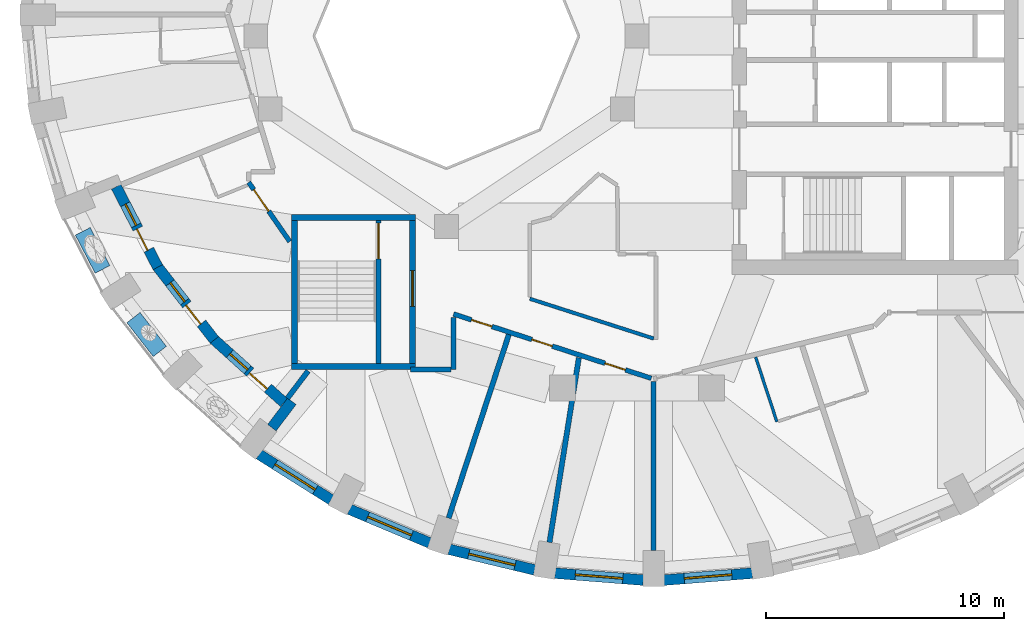
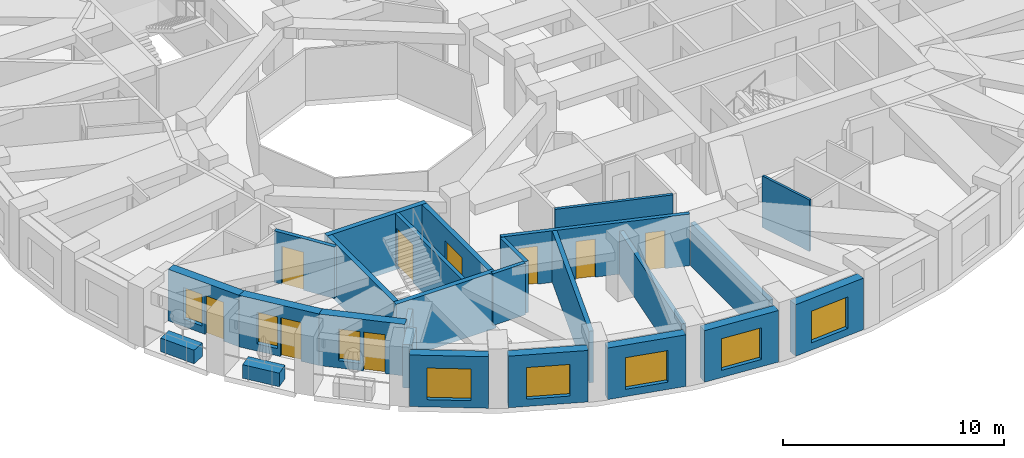
# One storey, part 3 of 12: 26 walls, 9 doors, 8 windows, 17 openings.
"""IFC4 building model written with IfcOpenShell, lengths in metres."""

import ifcopenshell
import ifcopenshell.guid

model = None  # the IFC model being written
_history = None  # IfcOwnerHistory: only IFC2X3 demands one
_inside = {}  # id of a spatial element -> (the spatial element, [elements in it])
_under = {}  # id of a project, library or spatial element -> (it, [spatial elements below it])
_declared = {}  # id of a project -> (the project, [libraries it declares])
_typed = {}  # id of a type object -> (the type object, [elements of that type])
_made_of = {}  # id of a material, layer set ... -> (it, [elements and type objects made of it])


def new_model(schema):
    """Start an empty IFC model of exactly this schema.

    Asked for "IFC4X3", IfcOpenShell would pick the latest addendum, in which some entities
    have other attributes; the version numbers below select the first issue.
    IFC2X3 requires an IfcOwnerHistory on every rooted entity: one is made here for all.
    """
    global model, _history
    if schema == "IFC4X3":
        model = ifcopenshell.file(schema_version=(4, 3, 0, 0))
    else:
        model = ifcopenshell.file(schema=schema)
    _inside.clear()
    _under.clear()
    _declared.clear()
    _typed.clear()
    _made_of.clear()
    _history = None
    if model.schema == "IFC2X3":
        org = make("IfcOrganization", Name="unknown")
        user = make(
            "IfcPersonAndOrganization",
            ThePerson=make("IfcPerson", FamilyName="unknown"),
            TheOrganization=org,
        )
        app = make(
            "IfcApplication",
            ApplicationDeveloper=org,
            Version="unknown",
            ApplicationFullName="unknown",
            ApplicationIdentifier="unknown",
        )
        _history = make(
            "IfcOwnerHistory",
            OwningUser=user,
            OwningApplication=app,
            ChangeAction="ADDED",
            CreationDate=0,
        )
    return model


def make(cls, **values):
    """One entity of the class cls with the attributes given. An attribute that is None is left unset."""
    return model.create_entity(
        cls, **{name: value for name, value in values.items() if value is not None}
    )


def rooted(cls, **values):
    """An entity with a GlobalId (a new one), such as an element, a storey or a relation."""
    return make(cls, GlobalId=ifcopenshell.guid.new(), OwnerHistory=_history, **values)


def si_unit(unit_type, name, prefix=None):
    """IfcSIUnit, for example si_unit("LENGTHUNIT", "METRE", prefix="MILLI")."""
    return make("IfcSIUnit", UnitType=unit_type, Prefix=prefix, Name=name)


def assignment(units):
    """IfcUnitAssignment: the units of a project."""
    return None if units is None else make("IfcUnitAssignment", Units=units)


def point(xyz):
    """IfcCartesianPoint."""
    return None if xyz is None else make("IfcCartesianPoint", Coordinates=xyz)


def direction(xyz):
    """IfcDirection."""
    return None if xyz is None else make("IfcDirection", DirectionRatios=xyz)


def frame(location, z_axis=None, x_axis=None):
    """IfcAxis2Placement3D, a coordinate frame: its origin and axes. An axis left out is left unset."""
    return make(
        "IfcAxis2Placement3D",
        Location=point(location),
        Axis=direction(z_axis),
        RefDirection=direction(x_axis),
    )


def frame_2d(location, x_axis=None):
    """IfcAxis2Placement2D, a coordinate frame in the plane: its origin and x axis."""
    return make(
        "IfcAxis2Placement2D", Location=point(location), RefDirection=direction(x_axis)
    )


def origin():
    """The frame at (0, 0, 0) with its axes left unset."""
    return frame((0.0, 0.0, 0.0))


def place(relative_to, where):
    """IfcLocalPlacement: puts the frame where relative to a parent placement (None: the world)."""
    return make(
        "IfcLocalPlacement", PlacementRelTo=relative_to, RelativePlacement=where
    )


def context(
    kind, dimensions, precision=None, world=None, true_north=None, identifier=None
):
    """IfcGeometricRepresentationContext, for example the 3D "Model" context."""
    return make(
        "IfcGeometricRepresentationContext",
        ContextIdentifier=identifier,
        ContextType=kind,
        CoordinateSpaceDimension=dimensions,
        Precision=precision,
        WorldCoordinateSystem=world,
        TrueNorth=true_north,
    )


def subcontext(parent, identifier, kind, view, scale=None):
    """IfcGeometricRepresentationSubContext, for example "Body" below "Model"."""
    return make(
        "IfcGeometricRepresentationSubContext",
        ContextIdentifier=identifier,
        ContextType=kind,
        ParentContext=parent,
        TargetScale=scale,
        TargetView=view,
    )


def project(units=None, contexts=None):
    """IfcProject with its units and contexts."""
    return rooted(
        "IfcProject",
        Name="project",
        RepresentationContexts=contexts,
        UnitsInContext=assignment(units),
    )


def spatial(cls, under=None, at=None, **own):
    """A site, building, storey or space (cls), placed at a placement, below another one or the project."""
    s = rooted(cls, ObjectPlacement=at, **own)
    if under is not None:
        _under.setdefault(under.id(), (under, []))[1].append(s)
    return s


def profile(cls, at=None, kind="AREA", **sizes):
    """A parametric profile (cls). Its sizes go by their IFC names, for example OverallWidth=200.0."""
    return make(cls, ProfileType=kind, Position=at, **sizes)


def rectangle(**sizes):
    """IfcRectangleProfileDef."""
    return profile("IfcRectangleProfileDef", **sizes)


def extrude(swept, where, along, depth):
    """IfcExtrudedAreaSolid: the profile swept, set in the frame where, extruded along a direction by depth."""
    return make(
        "IfcExtrudedAreaSolid",
        SweptArea=swept,
        Position=where,
        ExtrudedDirection=direction(along),
        Depth=depth,
    )


def shape(context_of_items, identifier, shape_type, items):
    """IfcShapeRepresentation: the items that make up one representation, for example the "Body"."""
    return make(
        "IfcShapeRepresentation",
        ContextOfItems=context_of_items,
        RepresentationIdentifier=identifier,
        RepresentationType=shape_type,
        Items=items,
    )


def material(Name=None, Category=None):
    """IfcMaterial."""
    return make("IfcMaterial", Name=Name, Category=Category)


def layer(
    of_material, thickness, ventilated=None, Name=None, Category=None, Priority=None
):
    """IfcMaterialLayer: one layer of a wall or slab, of a material (None: an air gap)."""
    return make(
        "IfcMaterialLayer",
        Material=of_material,
        LayerThickness=thickness,
        IsVentilated=ventilated,
        Name=Name,
        Category=Category,
        Priority=Priority,
    )


def layer_set(layers, Name=None):
    """IfcMaterialLayerSet."""
    return make("IfcMaterialLayerSet", MaterialLayers=layers, LayerSetName=Name)


def constituent(of_material, Name=None, Category=None, fraction=None):
    """IfcMaterialConstituent: one of the materials an element consists of."""
    return make(
        "IfcMaterialConstituent",
        Name=Name,
        Material=of_material,
        Fraction=fraction,
        Category=Category,
    )


def constituent_set(constituents=None, Name=None):
    """IfcMaterialConstituentSet."""
    return make(
        "IfcMaterialConstituentSet", Name=Name, MaterialConstituents=constituents
    )


def made_of(thing, what):
    """Note that an element or type object is made of a material, layer set ...; save() writes the relation."""
    if what is not None:
        _made_of.setdefault(what.id(), (what, []))[1].append(thing)
    return thing


def type_object(cls, material=None, **own):
    """A type object (cls), such as IfcWallType, which elements share."""
    return made_of(rooted(cls, **own), material)


def element(
    cls,
    number,
    at=None,
    inside=None,
    cuts=None,
    type_object=None,
    material=None,
    context=None,
    identifier="Body",
    shape_type=None,
    held_by="IfcProductDefinitionShape",
    body=None,
    shapes=None,
    **own,
):
    """One element of the class cls, such as IfcWall. Its Tag is "e" and its number.

    at: its placement. inside: the storey or other place that contains it. cuts: it is an
    opening in that element (IfcRelVoidsElement). A single representation is given by context,
    identifier, shape_type and body (its items); several are given by shapes. held_by: the class
    of the entity that holds the representations. save() writes the other relations.
    """
    e = rooted(cls, Tag="e%d" % number, ObjectPlacement=at, **own)
    if body is not None:
        shapes = [shape(context, identifier, shape_type, body)]
    if shapes is not None:
        e.Representation = make(held_by, Representations=shapes)
    if inside is not None:
        _inside.setdefault(inside.id(), (inside, []))[1].append(e)
    if cuts is not None:
        rooted(
            "IfcRelVoidsElement", RelatingBuildingElement=cuts, RelatedOpeningElement=e
        )
    if type_object is not None:
        _typed.setdefault(type_object.id(), (type_object, []))[1].append(e)
    return made_of(e, material)


def fill(opening, filler):
    """IfcRelFillsElement: the door or window that sits in an opening."""
    return rooted(
        "IfcRelFillsElement",
        RelatingOpeningElement=opening,
        RelatedBuildingElement=filler,
    )


def aggregate(whole, parts):
    """IfcRelAggregates: a whole, such as a stair, and the parts it consists of."""
    return rooted("IfcRelAggregates", RelatingObject=whole, RelatedObjects=parts)


def save(model, path):
    """Write the relations noted so far, then the file.

    IfcRelAggregates (storeys below a building ...), IfcRelContainedInSpatialStructure (elements
    in a storey), IfcRelDefinesByType, IfcRelAssociatesMaterial and IfcRelDeclares: one each for
    every whole, place, type object, material and project.
    """
    for whole, parts in _under.values():
        aggregate(whole, parts)
    for where, things in _inside.values():
        rooted(
            "IfcRelContainedInSpatialStructure",
            RelatedElements=things,
            RelatingStructure=where,
        )
    for kind, things in _typed.values():
        rooted("IfcRelDefinesByType", RelatedObjects=things, RelatingType=kind)
    for what, things in _made_of.values():
        rooted("IfcRelAssociatesMaterial", RelatedObjects=things, RelatingMaterial=what)
    for by, libraries in _declared.values():
        rooted("IfcRelDeclares", RelatingContext=by, RelatedDefinitions=libraries)
    model.write(path)


model = new_model("IFC4")

# Units and contexts
model_context = context("Model", 3, precision=1e-05, world=origin(), true_north=direction((0.0, 1.0)))
body_context = subcontext(model_context, "Body", "Model", "MODEL_VIEW")
ifc_project = project(units=[si_unit("LENGTHUNIT", "METRE"), si_unit("AREAUNIT", "SQUARE_METRE"), si_unit("VOLUMEUNIT", "CUBIC_METRE"), si_unit("PLANEANGLEUNIT", "RADIAN"), si_unit("MASSUNIT", "GRAM", prefix="KILO")], contexts=[model_context])

# Site, building, storey
site_placement = place(None, origin())
site = spatial("IfcSite", under=ifc_project, at=site_placement, CompositionType="ELEMENT")
building_placement = place(site_placement, origin())
building = spatial("IfcBuilding", under=site, at=building_placement, Name="Taillehof Tower", CompositionType="ELEMENT")
storey_placement = place(building_placement, frame((0.0, 0.0, 225.5)))
storey = spatial("IfcBuildingStorey", under=building, at=storey_placement, Name="L64", CompositionType="ELEMENT", Elevation=225.5)

# Wall, opening, window
ifc_material_1 = material(Name="Brick masonry", Category="masonry")
ifc_layer_1 = layer(ifc_material_1, 0.449951171875)
ifc_layer_set_1 = layer_set([ifc_layer_1], Name="Brick infill wall 450")
wall_type_1 = type_object("IfcWallType", Name="Brick infill wall 450", PredefinedType="SOLIDWALL", material=ifc_layer_set_1)
wall_1_placement = place(storey_placement, frame((-15.8671875, -17.55859375, 0.0), z_axis=(0.0, 0.0, 1.0), x_axis=(0.84616917791, -0.532914366813, 0.0)))
wall_1 = element("IfcWall", 1, at=wall_1_placement, inside=storey, type_object=wall_type_1, Name="Brick wall L64 bay 24", PredefinedType="SOLIDWALL", context=body_context, shape_type="SweptSolid", body=[
    extrude(rectangle(XDim=3.586669921875, YDim=0.449951171875, at=frame_2d((1.79345703125, 0.0))), origin(), (0.0, 0.0, 1.0), 2.85009765625),
])
opening_1_placement = place(wall_1_placement, frame((0.79345703125, 0.0, 0.39990234375)))
opening_1 = element("IfcOpeningElement", 2, at=opening_1_placement, cuts=wall_1, Name="Opening W2", PredefinedType="OPENING", context=body_context, shape_type="SweptSolid", body=[
    extrude(rectangle(XDim=2.0, YDim=1.75, at=frame_2d((1.0, 0.875))), frame((0.0, 0.23486328125, 0.0), z_axis=(0.0, -1.0, 0.0), x_axis=(1.0, 0.0, 0.0)), (0.0, 0.0, 1.0), 0.469970703125),
])
ifc_material_2 = material(Name="Aluminium window frame with clear double glazing", Category="aluminium")
window_type_1 = type_object("IfcWindowType", Name="Deep-set window 2000x1750", PartitioningType="SINGLE_PANEL", PredefinedType="WINDOW", material=ifc_material_2)
window_1_placement = place(opening_1_placement, origin())
window_1 = element("IfcWindow", 3, at=window_1_placement, inside=storey, type_object=window_type_1, Name="W2", OverallHeight=1.75, OverallWidth=2.0, PartitioningType="SINGLE_PANEL", PredefinedType="WINDOW", context=body_context, shape_type="SweptSolid", body=[
    extrude(rectangle(XDim=2.0, YDim=1.75, at=frame_2d((1.0, 0.875))), frame((0.0, 0.034912109375, 0.0), z_axis=(0.0, -1.0, 0.0), x_axis=(1.0, 0.0, 0.0)), (0.0, 0.0, 1.0), 0.06005859375),
])
fill(opening_1, window_1)

wall_2_placement = place(storey_placement, frame((-12.0693359375, -19.866943359375, 0.0), z_axis=(0.0, 0.0, 1.0), x_axis=(0.922168222612, -0.386789050006, 0.0)))
wall_2 = element("IfcWall", 4, at=wall_2_placement, inside=storey, type_object=wall_type_1, Name="Brick wall L64 bay 25", PredefinedType="SOLIDWALL", context=body_context, shape_type="SweptSolid", body=[
    extrude(rectangle(XDim=3.65087890625, YDim=0.449951171875, at=frame_2d((1.825439453125, 0.0))), origin(), (0.0, 0.0, 1.0), 2.85009765625),
])
opening_2_placement = place(wall_2_placement, frame((0.825439453125, 0.0, 0.39990234375)))
opening_2 = element("IfcOpeningElement", 5, at=opening_2_placement, cuts=wall_2, Name="Opening W2", PredefinedType="OPENING", context=body_context, shape_type="SweptSolid", body=[
    extrude(rectangle(XDim=2.0, YDim=1.75, at=frame_2d((1.0, 0.875))), frame((0.0, 0.23486328125, 0.0), z_axis=(0.0, -1.0, 0.0), x_axis=(1.0, 0.0, 0.0)), (0.0, 0.0, 1.0), 0.469970703125),
])
window_2_placement = place(opening_2_placement, origin())
window_2 = element("IfcWindow", 6, at=window_2_placement, inside=storey, type_object=window_type_1, Name="W2", OverallHeight=1.75, OverallWidth=2.0, PartitioningType="SINGLE_PANEL", PredefinedType="WINDOW", context=body_context, shape_type="SweptSolid", body=[
    extrude(rectangle(XDim=2.0, YDim=1.75, at=frame_2d((1.0, 0.875))), frame((0.0, 0.034912109375, 0.0), z_axis=(0.0, -1.0, 0.0), x_axis=(1.0, 0.0, 0.0)), (0.0, 0.0, 1.0), 0.06005859375),
])
fill(opening_2, window_2)

wall_3_placement = place(storey_placement, frame((-7.88525390625, -21.547119140625, 0.0), z_axis=(0.0, 0.0, 1.0), x_axis=(0.9721584944, -0.234324266275, 0.0)))
wall_3 = element("IfcWall", 7, at=wall_3_placement, inside=storey, type_object=wall_type_1, Name="Brick wall L64 bay 26", PredefinedType="SOLIDWALL", context=body_context, shape_type="SweptSolid", body=[
    extrude(rectangle(XDim=3.69775390625, YDim=0.449951171875, at=frame_2d((1.848876953125, 0.0))), origin(), (0.0, 0.0, 1.0), 2.85009765625),
])
opening_3_placement = place(wall_3_placement, frame((0.848876953125, 0.0, 0.39990234375)))
opening_3 = element("IfcOpeningElement", 8, at=opening_3_placement, cuts=wall_3, Name="Opening W2", PredefinedType="OPENING", context=body_context, shape_type="SweptSolid", body=[
    extrude(rectangle(XDim=2.0, YDim=1.75, at=frame_2d((1.0, 0.875))), frame((0.0, 0.23486328125, 0.0), z_axis=(0.0, -1.0, 0.0), x_axis=(1.0, 0.0, 0.0)), (0.0, 0.0, 1.0), 0.469970703125),
])
window_3_placement = place(opening_3_placement, origin())
window_3 = element("IfcWindow", 9, at=window_3_placement, inside=storey, type_object=window_type_1, Name="W2", OverallHeight=1.75, OverallWidth=2.0, PartitioningType="SINGLE_PANEL", PredefinedType="WINDOW", context=body_context, shape_type="SweptSolid", body=[
    extrude(rectangle(XDim=2.0, YDim=1.75, at=frame_2d((1.0, 0.875))), frame((0.0, 0.034912109375, 0.0), z_axis=(0.0, -1.0, 0.0), x_axis=(1.0, 0.0, 0.0)), (0.0, 0.0, 1.0), 0.06005859375),
])
fill(opening_3, window_3)

wall_4_placement = place(storey_placement, frame((-3.441162109375, -22.54833984375, 0.0), z_axis=(0.0, 0.0, 1.0), x_axis=(0.996913971077, -0.078501810629, 0.0)))
wall_4 = element("IfcWall", 10, at=wall_4_placement, inside=storey, type_object=wall_type_1, Name="Brick wall L64 bay 27", PredefinedType="SOLIDWALL", context=body_context, shape_type="SweptSolid", body=[
    extrude(rectangle(XDim=3.72265625, YDim=0.449951171875, at=frame_2d((1.861328125, 0.0))), origin(), (0.0, 0.0, 1.0), 2.85009765625),
])
opening_4_placement = place(wall_4_placement, frame((0.861328125, 0.0, 0.39990234375)))
opening_4 = element("IfcOpeningElement", 11, at=opening_4_placement, cuts=wall_4, Name="Opening W2", PredefinedType="OPENING", context=body_context, shape_type="SweptSolid", body=[
    extrude(rectangle(XDim=2.0, YDim=1.75, at=frame_2d((1.0, 0.875))), frame((0.0, 0.23486328125, 0.0), z_axis=(0.0, -1.0, 0.0), x_axis=(1.0, 0.0, 0.0)), (0.0, 0.0, 1.0), 0.469970703125),
])
window_4_placement = place(opening_4_placement, origin())
window_4 = element("IfcWindow", 12, at=window_4_placement, inside=storey, type_object=window_type_1, Name="W2", OverallHeight=1.75, OverallWidth=2.0, PartitioningType="SINGLE_PANEL", PredefinedType="WINDOW", context=body_context, shape_type="SweptSolid", body=[
    extrude(rectangle(XDim=2.0, YDim=1.75, at=frame_2d((1.0, 0.875))), frame((0.0, 0.034912109375, 0.0), z_axis=(0.0, -1.0, 0.0), x_axis=(1.0, 0.0, 0.0)), (0.0, 0.0, 1.0), 0.06005859375),
])
fill(opening_4, window_4)

wall_5_placement = place(storey_placement, frame((1.130126953125, -22.840576171875, 0.0), z_axis=(0.0, 0.0, 1.0), x_axis=(0.996913566885, 0.078506943392, 0.0)))
wall_5 = element("IfcWall", 13, at=wall_5_placement, inside=storey, type_object=wall_type_1, Name="Brick wall L64 bay 28", PredefinedType="SOLIDWALL", context=body_context, shape_type="SweptSolid", body=[
    extrude(rectangle(XDim=3.722412109375, YDim=0.449951171875, at=frame_2d((1.861328125, 0.0))), origin(), (0.0, 0.0, 1.0), 2.85009765625),
])
opening_5_placement = place(wall_5_placement, frame((0.861328125, 0.0, 0.39990234375)))
opening_5 = element("IfcOpeningElement", 14, at=opening_5_placement, cuts=wall_5, Name="Opening W2", PredefinedType="OPENING", context=body_context, shape_type="SweptSolid", body=[
    extrude(rectangle(XDim=2.0, YDim=1.75, at=frame_2d((1.0, 0.875))), frame((0.0, 0.23486328125, 0.0), z_axis=(0.0, -1.0, 0.0), x_axis=(1.0, 0.0, 0.0)), (0.0, 0.0, 1.0), 0.469970703125),
])
window_5_placement = place(opening_5_placement, origin())
window_5 = element("IfcWindow", 15, at=window_5_placement, inside=storey, type_object=window_type_1, Name="W2", OverallHeight=1.75, OverallWidth=2.0, PartitioningType="SINGLE_PANEL", PredefinedType="WINDOW", context=body_context, shape_type="SweptSolid", body=[
    extrude(rectangle(XDim=2.0, YDim=1.75, at=frame_2d((1.0, 0.875))), frame((0.0, 0.034912109375, 0.0), z_axis=(0.0, -1.0, 0.0), x_axis=(1.0, 0.0, 0.0)), (0.0, 0.0, 1.0), 0.06005859375),
])
fill(opening_5, window_5)

# Wall
wall_6_placement = place(storey_placement, frame((-15.325927734375, -16.441650390625, 0.0), z_axis=(0.0, 0.0, 1.0), x_axis=(0.603644757989, 0.797253414011, 0.0)))
element("IfcWall", 16, at=wall_6_placement, inside=storey, type_object=wall_type_1, Name="Brick reveal L64 pocket 6", PredefinedType="SOLIDWALL", context=body_context, shape_type="SweptSolid", body=[
    extrude(rectangle(XDim=1.390869140625, YDim=0.449951171875, at=frame_2d((0.6953125, 0.0))), origin(), (0.0, 0.0, 1.0), 2.39990234375),
])

# Wall, openings, door, window
wall_7_placement = place(storey_placement, frame((-21.860595703125, -6.326171875, 0.0), z_axis=(0.0, 0.0, 1.0), x_axis=(0.45924645187, -0.888308896975, 0.0)))
wall_7 = element("IfcWall", 17, at=wall_7_placement, inside=storey, type_object=wall_type_1, Name="Brick wall L64 pocket bay 21", PredefinedType="SOLIDWALL", context=body_context, shape_type="SweptSolid", body=[
    extrude(rectangle(XDim=3.801513671875, YDim=0.449951171875, at=frame_2d((1.90087890625, 0.0))), origin(), (0.0, 0.0, 1.0), 2.85009765625),
])
opening_6_placement = place(wall_7_placement, frame((0.82568359375, 0.0, 0.39990234375)))
opening_6 = element("IfcOpeningElement", 18, at=opening_6_placement, cuts=wall_7, Name="Opening W5", PredefinedType="OPENING", context=body_context, shape_type="SweptSolid", body=[
    extrude(rectangle(XDim=1.0, YDim=1.75, at=frame_2d((0.5, 0.875))), frame((0.0, 0.23486328125, 0.0), z_axis=(0.0, -1.0, 0.0), x_axis=(1.0, 0.0, 0.0)), (0.0, 0.0, 1.0), 0.469970703125),
])
opening_7_placement = place(wall_7_placement, frame((1.975830078125, 0.0, 0.0)))
opening_7 = element("IfcOpeningElement", 19, at=opening_7_placement, cuts=wall_7, Name="Opening D6494", PredefinedType="OPENING", context=body_context, shape_type="SweptSolid", body=[
    extrude(rectangle(XDim=1.0, YDim=2.14990234375, at=frame_2d((0.5, 1.074951171875))), frame((0.0, 0.23486328125, 0.0), z_axis=(0.0, -1.0, 0.0), x_axis=(1.0, 0.0, 0.0)), (0.0, 0.0, 1.0), 0.469970703125),
])
ifc_material_3 = material(Name="Aluminium door frame with clear double glazing", Category="aluminium")
door_type_1 = type_object("IfcDoorType", Name="Balcony door 1000x2150", OperationType="SINGLE_SWING_RIGHT", PredefinedType="DOOR", material=ifc_material_3)
door_1_placement = place(opening_7_placement, frame((1.0, 0.0, 0.0), z_axis=(0.0, 0.0, 1.0), x_axis=(-1.0, 0.0, 0.0)))
door_1 = element("IfcDoor", 20, at=door_1_placement, inside=storey, type_object=door_type_1, Name="Balcony door L64 bay 21", OperationType="SINGLE_SWING_RIGHT", OverallHeight=2.14990234375, OverallWidth=1.0, PredefinedType="DOOR", context=body_context, shape_type="SweptSolid", body=[
    extrude(rectangle(XDim=1.0, YDim=2.14990234375, at=frame_2d((0.5, 1.074951171875))), frame((0.0, 0.0751953125, 0.0), z_axis=(0.0, -1.0, 0.0), x_axis=(1.0, 0.0, 0.0)), (0.0, 0.0, 1.0), 0.050048828125),
])
fill(opening_7, door_1)
ifc_material_4 = material(Name="Aluminium window frame with clear double glazing", Category="aluminium")
window_type_2 = type_object("IfcWindowType", Name="Fixed window 1000x1750", PartitioningType="SINGLE_PANEL", PredefinedType="WINDOW", material=ifc_material_4)
window_6_placement = place(opening_6_placement, origin())
window_6 = element("IfcWindow", 21, at=window_6_placement, inside=storey, type_object=window_type_2, Name="W5", OverallHeight=1.75, OverallWidth=1.0, PartitioningType="SINGLE_PANEL", PredefinedType="WINDOW", context=body_context, shape_type="SweptSolid", body=[
    extrude(rectangle(XDim=1.0, YDim=1.75, at=frame_2d((0.5, 0.875))), frame((0.0, 0.034912109375, 0.0), z_axis=(0.0, -1.0, 0.0), x_axis=(1.0, 0.0, 0.0)), (0.0, 0.0, 1.0), 0.06005859375),
])
fill(opening_6, window_6)

wall_8_placement = place(storey_placement, frame((-20.136962890625, -9.66845703125, 0.0), z_axis=(0.0, 0.0, 1.0), x_axis=(0.613157177014, -0.789960933386, 0.0)))
wall_8 = element("IfcWall", 22, at=wall_8_placement, inside=storey, type_object=wall_type_1, Name="Brick wall L64 pocket bay 22", PredefinedType="SOLIDWALL", context=body_context, shape_type="SweptSolid", body=[
    extrude(rectangle(XDim=3.906494140625, YDim=0.449951171875, at=frame_2d((1.953125, 0.0))), origin(), (0.0, 0.0, 1.0), 2.85009765625),
])
opening_8_placement = place(wall_8_placement, frame((0.87841796875, 0.0, 0.39990234375)))
opening_8 = element("IfcOpeningElement", 23, at=opening_8_placement, cuts=wall_8, Name="Opening W5", PredefinedType="OPENING", context=body_context, shape_type="SweptSolid", body=[
    extrude(rectangle(XDim=1.0, YDim=1.75, at=frame_2d((0.5, 0.875))), frame((0.0, 0.23486328125, 0.0), z_axis=(0.0, -1.0, 0.0), x_axis=(1.0, 0.0, 0.0)), (0.0, 0.0, 1.0), 0.469970703125),
])
opening_9_placement = place(wall_8_placement, frame((2.0283203125, 0.0, 0.0)))
opening_9 = element("IfcOpeningElement", 24, at=opening_9_placement, cuts=wall_8, Name="Opening D6495", PredefinedType="OPENING", context=body_context, shape_type="SweptSolid", body=[
    extrude(rectangle(XDim=1.0, YDim=2.14990234375, at=frame_2d((0.5, 1.074951171875))), frame((0.0, 0.23486328125, 0.0), z_axis=(0.0, -1.0, 0.0), x_axis=(1.0, 0.0, 0.0)), (0.0, 0.0, 1.0), 0.469970703125),
])
door_2_placement = place(opening_9_placement, frame((1.0, 0.0, 0.0), z_axis=(0.0, 0.0, 1.0), x_axis=(-1.0, 0.0, 0.0)))
door_2 = element("IfcDoor", 25, at=door_2_placement, inside=storey, type_object=door_type_1, Name="Balcony door L64 bay 22", OperationType="SINGLE_SWING_LEFT", OverallHeight=2.14990234375, OverallWidth=1.0, PredefinedType="DOOR", context=body_context, shape_type="SweptSolid", body=[
    extrude(rectangle(XDim=1.0, YDim=2.14990234375, at=frame_2d((0.5, 1.074951171875))), frame((0.0, 0.0751953125, 0.0), z_axis=(0.0, -1.0, 0.0), x_axis=(1.0, 0.0, 0.0)), (0.0, 0.0, 1.0), 0.050048828125),
])
fill(opening_9, door_2)
window_7_placement = place(opening_8_placement, origin())
window_7 = element("IfcWindow", 26, at=window_7_placement, inside=storey, type_object=window_type_2, Name="W5", OverallHeight=1.75, OverallWidth=1.0, PartitioningType="SINGLE_PANEL", PredefinedType="WINDOW", context=body_context, shape_type="SweptSolid", body=[
    extrude(rectangle(XDim=1.0, YDim=1.75, at=frame_2d((0.5, 0.875))), frame((0.0, 0.034912109375, 0.0), z_axis=(0.0, -1.0, 0.0), x_axis=(1.0, 0.0, 0.0)), (0.0, 0.0, 1.0), 0.06005859375),
])
fill(opening_8, window_7)

wall_9_placement = place(storey_placement, frame((-17.7685546875, -12.725341796875, 0.0), z_axis=(0.0, 0.0, 1.0), x_axis=(0.742485377568, -0.669862272484, 0.0)))
wall_9 = element("IfcWall", 27, at=wall_9_placement, inside=storey, type_object=wall_type_1, Name="Brick wall L64 pocket bay 23", PredefinedType="SOLIDWALL", context=body_context, shape_type="SweptSolid", body=[
    extrude(rectangle(XDim=3.980224609375, YDim=0.449951171875, at=frame_2d((1.990234375, 0.0))), origin(), (0.0, 0.0, 1.0), 2.85009765625),
])
opening_10_placement = place(wall_9_placement, frame((0.9150390625, 0.0, 0.39990234375)))
opening_10 = element("IfcOpeningElement", 28, at=opening_10_placement, cuts=wall_9, Name="Opening W5", PredefinedType="OPENING", context=body_context, shape_type="SweptSolid", body=[
    extrude(rectangle(XDim=1.0, YDim=1.75, at=frame_2d((0.5, 0.875))), frame((0.0, 0.23486328125, 0.0), z_axis=(0.0, -1.0, 0.0), x_axis=(1.0, 0.0, 0.0)), (0.0, 0.0, 1.0), 0.469970703125),
])
opening_11_placement = place(wall_9_placement, frame((2.065185546875, 0.0, 0.0)))
opening_11 = element("IfcOpeningElement", 29, at=opening_11_placement, cuts=wall_9, Name="Opening D6496", PredefinedType="OPENING", context=body_context, shape_type="SweptSolid", body=[
    extrude(rectangle(XDim=1.0, YDim=2.14990234375, at=frame_2d((0.5, 1.074951171875))), frame((0.0, 0.23486328125, 0.0), z_axis=(0.0, -1.0, 0.0), x_axis=(1.0, 0.0, 0.0)), (0.0, 0.0, 1.0), 0.469970703125),
])
door_3_placement = place(opening_11_placement, frame((1.0, 0.0, 0.0), z_axis=(0.0, 0.0, 1.0), x_axis=(-1.0, 0.0, 0.0)))
door_3 = element("IfcDoor", 30, at=door_3_placement, inside=storey, type_object=door_type_1, Name="Balcony door L64 bay 23", OperationType="SINGLE_SWING_LEFT", OverallHeight=2.14990234375, OverallWidth=1.0, PredefinedType="DOOR", context=body_context, shape_type="SweptSolid", body=[
    extrude(rectangle(XDim=1.0, YDim=2.14990234375, at=frame_2d((0.5, 1.074951171875))), frame((0.0, 0.0751953125, 0.0), z_axis=(0.0, -1.0, 0.0), x_axis=(1.0, 0.0, 0.0)), (0.0, 0.0, 1.0), 0.050048828125),
])
fill(opening_11, door_3)
window_8_placement = place(opening_10_placement, origin())
window_8 = element("IfcWindow", 31, at=window_8_placement, inside=storey, type_object=window_type_2, Name="W5", OverallHeight=1.75, OverallWidth=1.0, PartitioningType="SINGLE_PANEL", PredefinedType="WINDOW", context=body_context, shape_type="SweptSolid", body=[
    extrude(rectangle(XDim=1.0, YDim=1.75, at=frame_2d((0.5, 0.875))), frame((0.0, 0.034912109375, 0.0), z_axis=(0.0, -1.0, 0.0), x_axis=(1.0, 0.0, 0.0)), (0.0, 0.0, 1.0), 0.06005859375),
])
fill(opening_10, window_8)

# Wall, openings, doors
ifc_material_5 = material(Name="Gypsum board on steel studs, two layers each side", Category="steel")
ifc_layer_2 = layer(ifc_material_5, 0.199951171875)
ifc_layer_set_2 = layer_set([ifc_layer_2], Name="Compartment wall corridor 200")
wall_type_2 = type_object("IfcWallType", Name="Compartment wall corridor 200", PredefinedType="PARTITIONING", material=ifc_layer_set_2)
wall_10_placement = place(storey_placement, frame((0.604736328125, -14.369384765625, 0.0), z_axis=(0.0, 0.0, 1.0), x_axis=(-0.950994614205, 0.309207444529, 0.0)))
wall_10 = element("IfcWall", 32, at=wall_10_placement, inside=storey, type_object=wall_type_2, Name="Compartment wall", PredefinedType="PARTITIONING", context=body_context, shape_type="SweptSolid", body=[
    extrude(rectangle(XDim=8.732666015625, YDim=0.199951171875, at=frame_2d((4.3662109375, 0.0))), origin(), (0.0, 0.0, 1.0), 2.85009765625),
])
opening_12_placement = place(wall_10_placement, frame((7.039794921875, 0.0, 0.0)))
opening_12 = element("IfcOpeningElement", 33, at=opening_12_placement, cuts=wall_10, Name="Opening D6458", PredefinedType="OPENING", context=body_context, shape_type="SweptSolid", body=[
    extrude(rectangle(XDim=0.89990234375, YDim=2.10009765625, at=frame_2d((0.449951171875, 1.050048828125))), frame((0.0, 0.10986328125, 0.0), z_axis=(0.0, -1.0, 0.0), x_axis=(1.0, 0.0, 0.0)), (0.0, 0.0, 1.0), 0.219970703125),
])
opening_13_placement = place(wall_10_placement, frame((4.374755859375, 0.0, 0.0)))
opening_13 = element("IfcOpeningElement", 34, at=opening_13_placement, cuts=wall_10, Name="Opening D6459", PredefinedType="OPENING", context=body_context, shape_type="SweptSolid", body=[
    extrude(rectangle(XDim=0.89990234375, YDim=2.10009765625, at=frame_2d((0.449951171875, 1.050048828125))), frame((0.0, 0.10986328125, 0.0), z_axis=(0.0, -1.0, 0.0), x_axis=(1.0, 0.0, 0.0)), (0.0, 0.0, 1.0), 0.219970703125),
])
opening_14_placement = place(wall_10_placement, frame((1.144775390625, 0.0, 0.0)))
opening_14 = element("IfcOpeningElement", 35, at=opening_14_placement, cuts=wall_10, Name="Opening D6460", PredefinedType="OPENING", context=body_context, shape_type="SweptSolid", body=[
    extrude(rectangle(XDim=0.89990234375, YDim=2.10009765625, at=frame_2d((0.449951171875, 1.050048828125))), frame((0.0, 0.10986328125, 0.0), z_axis=(0.0, -1.0, 0.0), x_axis=(1.0, 0.0, 0.0)), (0.0, 0.0, 1.0), 0.219970703125),
])
ifc_material_6 = material(Name="Timber door leaf in steel frame", Category="steel")
door_type_2 = type_object("IfcDoorType", Name="Service room door EI 30 900 x 2100", OperationType="SINGLE_SWING_LEFT", PredefinedType="DOOR", material=ifc_material_6)
door_4_placement = place(opening_12_placement, origin())
door_4 = element("IfcDoor", 36, at=door_4_placement, inside=storey, type_object=door_type_2, Name="D6458", OperationType="SINGLE_SWING_LEFT", OverallHeight=2.10009765625, OverallWidth=0.89990234375, PredefinedType="DOOR", context=body_context, shape_type="SweptSolid", body=[
    extrude(rectangle(XDim=0.89990234375, YDim=2.10009765625, at=frame_2d((0.449951171875, 1.050048828125))), frame((0.0, 0.02490234375, 0.0), z_axis=(0.0, -1.0, 0.0), x_axis=(1.0, 0.0, 0.0)), (0.0, 0.0, 1.0), 0.050048828125),
])
fill(opening_12, door_4)
door_5_placement = place(opening_13_placement, origin())
door_5 = element("IfcDoor", 37, at=door_5_placement, inside=storey, type_object=door_type_2, Name="D6459", OperationType="SINGLE_SWING_RIGHT", OverallHeight=2.10009765625, OverallWidth=0.89990234375, PredefinedType="DOOR", context=body_context, shape_type="SweptSolid", body=[
    extrude(rectangle(XDim=0.89990234375, YDim=2.10009765625, at=frame_2d((0.449951171875, 1.050048828125))), frame((0.0, 0.02490234375, 0.0), z_axis=(0.0, -1.0, 0.0), x_axis=(1.0, 0.0, 0.0)), (0.0, 0.0, 1.0), 0.050048828125),
])
fill(opening_13, door_5)
door_6_placement = place(opening_14_placement, origin())
door_6 = element("IfcDoor", 38, at=door_6_placement, inside=storey, type_object=door_type_2, Name="D6460", OperationType="SINGLE_SWING_RIGHT", OverallHeight=2.10009765625, OverallWidth=0.89990234375, PredefinedType="DOOR", context=body_context, shape_type="SweptSolid", body=[
    extrude(rectangle(XDim=0.89990234375, YDim=2.10009765625, at=frame_2d((0.449951171875, 1.050048828125))), frame((0.0, 0.02490234375, 0.0), z_axis=(0.0, -1.0, 0.0), x_axis=(1.0, 0.0, 0.0)), (0.0, 0.0, 1.0), 0.050048828125),
])
fill(opening_14, door_6)

# Walls
wall_11_placement = place(storey_placement, frame((-7.699951171875, -11.809326171875, 0.0), z_axis=(0.0, 0.0, 1.0), x_axis=(0.0, -1.0, 0.0)))
element("IfcWall", 39, at=wall_11_placement, inside=storey, type_object=wall_type_2, Name="Compartment wall", PredefinedType="PARTITIONING", context=body_context, shape_type="SweptSolid", body=[
    extrude(rectangle(XDim=2.190673828125, YDim=0.199951171875, at=frame_2d((1.09521484375, 0.0))), origin(), (0.0, 0.0, 1.0), 2.85009765625),
])
wall_12_placement = place(storey_placement, frame((-7.800048828125, -14.0, 0.0), z_axis=(0.0, 0.0, 1.0), x_axis=(-1.0, 0.0, 0.0)))
element("IfcWall", 40, at=wall_12_placement, inside=storey, type_object=wall_type_2, Name="Compartment wall", PredefinedType="PARTITIONING", context=body_context, shape_type="SweptSolid", body=[
    extrude(rectangle(XDim=1.696044921875, YDim=0.199951171875, at=frame_2d((0.84814453125, 0.0))), origin(), (0.0, 0.0, 1.0), 2.85009765625),
])

# Wall, opening, door
wall_13_placement = place(storey_placement, frame((-14.575439453125, -8.626708984375, 0.0), z_axis=(0.0, 0.0, 1.0), x_axis=(-0.569910381143, 0.821706856163, 0.0)))
wall_13 = element("IfcWall", 41, at=wall_13_placement, inside=storey, type_object=wall_type_2, Name="Compartment wall", PredefinedType="PARTITIONING", context=body_context, shape_type="SweptSolid", body=[
    extrude(rectangle(XDim=3.026123046875, YDim=0.199951171875, at=frame_2d((1.51318359375, 0.0))), origin(), (0.0, 0.0, 1.0), 2.85009765625),
])
opening_15_placement = place(wall_13_placement, frame((1.551513671875, 0.0, 0.0)))
opening_15 = element("IfcOpeningElement", 42, at=opening_15_placement, cuts=wall_13, Name="Opening D6456", PredefinedType="OPENING", context=body_context, shape_type="SweptSolid", body=[
    extrude(rectangle(XDim=1.10009765625, YDim=2.10009765625, at=frame_2d((0.550048828125, 1.050048828125))), frame((0.0, 0.10986328125, 0.0), z_axis=(0.0, -1.0, 0.0), x_axis=(1.0, 0.0, 0.0)), (0.0, 0.0, 1.0), 0.219970703125),
])
ifc_material_7 = material(Name="Timber door leaf in steel frame", Category="steel")
door_type_3 = type_object("IfcDoorType", Name="Suite entrance door EI 30 1100 x 2100", OperationType="SINGLE_SWING_LEFT", PredefinedType="DOOR", material=ifc_material_7)
door_7_placement = place(opening_15_placement, origin())
door_7 = element("IfcDoor", 43, at=door_7_placement, inside=storey, type_object=door_type_3, Name="D6456", OperationType="SINGLE_SWING_RIGHT", OverallHeight=2.10009765625, OverallWidth=1.10009765625, PredefinedType="DOOR", context=body_context, shape_type="SweptSolid", body=[
    extrude(rectangle(XDim=1.10009765625, YDim=2.10009765625, at=frame_2d((0.550048828125, 1.050048828125))), frame((0.0, 0.02490234375, 0.0), z_axis=(0.0, -1.0, 0.0), x_axis=(1.0, 0.0, 0.0)), (0.0, 0.0, 1.0), 0.050048828125),
])
fill(opening_15, door_7)

# Walls
ifc_material_8 = material(Name="Gypsum board on double steel studs with mineral wool", Category="steel")
ifc_layer_3 = layer(ifc_material_8, 0.219970703125)
ifc_layer_set_3 = layer_set([ifc_layer_3], Name="Compartment wall guest room 220")
wall_type_3 = type_object("IfcWallType", Name="Compartment wall guest room 220", PredefinedType="PARTITIONING", material=ifc_layer_set_3)
wall_14_placement = place(storey_placement, frame((-14.6767578125, -15.21142578125, 0.0), z_axis=(0.0, 0.0, 1.0), x_axis=(0.60355868562, 0.797318576864, 0.0)))
element("IfcWall", 44, at=wall_14_placement, inside=storey, type_object=wall_type_3, Name="Compartment wall", PredefinedType="PARTITIONING", context=body_context, shape_type="SweptSolid", body=[
    extrude(rectangle(XDim=1.446533203125, YDim=0.219970703125, at=frame_2d((0.72314453125, 0.0))), origin(), (0.0, 0.0, 1.0), 2.39990234375),
])
wall_15_placement = place(storey_placement, frame((-7.9072265625, -20.2353515625, 0.0), z_axis=(0.0, 0.0, 1.0), x_axis=(0.311998426629, 0.950082618397, 0.0)))
element("IfcWall", 45, at=wall_15_placement, inside=storey, type_object=wall_type_3, Name="Compartment wall", PredefinedType="PARTITIONING", context=body_context, shape_type="SweptSolid", body=[
    extrude(rectangle(XDim=8.110595703125, YDim=0.219970703125, at=frame_2d((4.05517578125, 0.0))), origin(), (0.0, 0.0, 1.0), 2.85009765625),
])
wall_16_placement = place(storey_placement, frame((-3.6708984375, -21.256103515625, 0.0), z_axis=(0.0, 0.0, 1.0), x_axis=(0.1571047049, 0.98758195189, 0.0)))
element("IfcWall", 46, at=wall_16_placement, inside=storey, type_object=wall_type_3, Name="Compartment wall", PredefinedType="PARTITIONING", context=body_context, shape_type="SweptSolid", body=[
    extrude(rectangle(XDim=7.84765625, YDim=0.219970703125, at=frame_2d((3.923828125, 0.0))), origin(), (0.0, 0.0, 1.0), 2.39990234375),
])
wall_17_placement = place(storey_placement, frame((0.699951171875, -21.60009765625, 0.0), z_axis=(0.0, 0.0, 1.0), x_axis=(0.0, 1.0, 0.0)))
element("IfcWall", 47, at=wall_17_placement, inside=storey, type_object=wall_type_3, Name="Compartment wall", PredefinedType="PARTITIONING", context=body_context, shape_type="SweptSolid", body=[
    extrude(rectangle(XDim=7.10009765625, YDim=0.219970703125, at=frame_2d((3.550048828125, 0.0))), origin(), (0.0, 0.0, 1.0), 2.39990234375),
])
ifc_material_9 = material(Name="Gypsum board on steel studs, two layers each side", Category="steel")
ifc_layer_4 = layer(ifc_material_9, 0.14990234375)
ifc_layer_set_4 = layer_set([ifc_layer_4], Name="Compartment wall service room 150")
wall_type_4 = type_object("IfcWallType", Name="Compartment wall service room 150", PredefinedType="PARTITIONING", material=ifc_layer_set_4)
wall_18_placement = place(storey_placement, frame((0.704833984375, -12.699951171875, 0.0), z_axis=(0.0, 0.0, 1.0), x_axis=(-0.952035530576, 0.305987497327, 0.0)))
element("IfcWall", 48, at=wall_18_placement, inside=storey, type_object=wall_type_4, Name="Compartment wall", PredefinedType="PARTITIONING", context=body_context, shape_type="SweptSolid", body=[
    extrude(rectangle(XDim=5.467041015625, YDim=0.14990234375, at=frame_2d((2.7333984375, 0.0))), origin(), (0.0, 0.0, 1.0), 2.85009765625),
])
ifc_material_10 = material(Name="Gypsum board on steel studs, moisture resistant", Category="steel")
ifc_layer_5 = layer(ifc_material_10, 0.1201171875)
ifc_layer_set_5 = layer_set([ifc_layer_5], Name="En-suite wall 120")
wall_type_5 = type_object("IfcWallType", Name="En-suite wall 120", PredefinedType="PARTITIONING", material=ifc_layer_set_5)
wall_19_placement = place(storey_placement, frame((4.9814453125, -13.473388671875, 0.0), z_axis=(0.0, 0.0, 1.0), x_axis=(0.312029038347, -0.950072565243, 0.0)))
element("IfcWall", 49, at=wall_19_placement, inside=storey, type_object=wall_type_5, Name="En-suite wall", PredefinedType="PARTITIONING", context=body_context, shape_type="SweptSolid", body=[
    extrude(rectangle(XDim=2.86279296875, YDim=0.1201171875, at=frame_2d((1.431396484375, 0.0))), origin(), (0.0, 0.0, 1.0), 2.85009765625),
])
ifc_material_11 = material(Name="Concrete C30/37 precast", Category="concrete")
ifc_constituent_1 = constituent(ifc_material_11, Name="Structure", Category="concrete")
ifc_material_12 = material(Name="Insulated lining")
ifc_constituent_2 = constituent(ifc_material_12, Name="Lining")
ifc_constituent_set = constituent_set(constituents=[ifc_constituent_1, ifc_constituent_2], Name="Planter trough 700x750")
wall_type_6 = type_object("IfcWallType", Name="Planter trough 700x750", PredefinedType="USERDEFINED", material=ifc_constituent_set)
for number, where, z_axis, x_axis, name in (
    (50, (-23.263916015625, -8.197265625, 0.0), (0.0, 0.0, 1.0), (0.460186516514, -0.887822262629, 0.0), "Planter L64 bay 21"),
    (51, (-21.13525390625, -11.819091796875, 0.0), (0.0, 0.0, 1.0), (0.614269202726, -0.789096538189, 0.0), "Planter L64 bay 22"),
):
    element("IfcWall", number, at=place(storey_placement, frame(where, z_axis=z_axis, x_axis=x_axis)), inside=storey, type_object=wall_type_6, Name=name, ObjectType="PLANTER", PredefinedType="USERDEFINED", context=body_context, shape_type="SweptSolid", body=[
        extrude(rectangle(XDim=1.800048828125, YDim=0.699951171875, at=frame_2d((0.89990234375, 0.0))), origin(), (0.0, 0.0, 1.0), 0.75),
    ])

# Wall, opening, door
ifc_material_13 = material(Name="Concrete C50/60", Category="concrete")
ifc_layer_6 = layer(ifc_material_13, 0.199951171875)
ifc_layer_set_6 = layer_set([ifc_layer_6], Name="Shaft wall C50/60 200")
wall_type_7 = type_object("IfcWallType", Name="Shaft wall C50/60 200", PredefinedType="SHEAR", material=ifc_layer_set_6)
wall_20_placement = place(storey_placement, frame((-10.85009765625, -13.75, 0.0), z_axis=(0.0, 0.0, 1.0), x_axis=(0.0, 1.0, 0.0)))
wall_20 = element("IfcWall", 52, at=wall_20_placement, inside=storey, type_object=wall_type_7, Name="Shaft wall SW", PredefinedType="SHEAR", context=body_context, shape_type="SweptSolid", body=[
    extrude(rectangle(XDim=6.0, YDim=0.199951171875, at=frame_2d((3.0, 0.0))), origin(), (0.0, 0.0, 1.0), 2.85009765625),
])
opening_16_placement = place(wall_20_placement, frame((4.39990234375, 0.0, 0.0)))
opening_16 = element("IfcOpeningElement", 53, at=opening_16_placement, cuts=wall_20, Name="Opening D6413", PredefinedType="OPENING", context=body_context, shape_type="SweptSolid", body=[
    extrude(rectangle(XDim=1.5, YDim=2.10009765625, at=frame_2d((0.75, 1.050048828125))), frame((0.0, 0.10986328125, 0.0), z_axis=(0.0, -1.0, 0.0), x_axis=(1.0, 0.0, 0.0)), (0.0, 0.0, 1.0), 0.219970703125),
])
ifc_material_14 = material(Name="Steel-faced fire door", Category="steel")
door_type_4 = type_object("IfcDoorType", Name="Stair door 1500x2100", OperationType="DOUBLE_DOOR_SINGLE_SWING", PredefinedType="DOOR", material=ifc_material_14)
door_8_placement = place(opening_16_placement, origin())
door_8 = element("IfcDoor", 54, at=door_8_placement, inside=storey, type_object=door_type_4, Name="Stair lobby door S4", OperationType="DOUBLE_DOOR_SINGLE_SWING", OverallHeight=2.10009765625, OverallWidth=1.5, PredefinedType="DOOR", context=body_context, shape_type="SweptSolid", body=[
    extrude(rectangle(XDim=1.5, YDim=2.10009765625, at=frame_2d((0.75, 1.050048828125))), frame((0.0, 0.02490234375, 0.0), z_axis=(0.0, -1.0, 0.0), x_axis=(1.0, 0.0, 0.0)), (0.0, 0.0, 1.0), 0.050048828125),
])
fill(opening_16, door_8)

# Wall
ifc_material_15 = material(Name="Concrete C50/60", Category="concrete")
ifc_layer_7 = layer(ifc_material_15, 0.25)
ifc_layer_set_7 = layer_set([ifc_layer_7], Name="Stair wall C50/60 250")
wall_type_8 = type_object("IfcWallType", Name="Stair wall C50/60 250", PredefinedType="SHEAR", material=ifc_layer_set_7)
wall_21_placement = place(storey_placement, frame((-14.375, -13.75, -0.280029296875), z_axis=(0.0, 0.0, 1.0), x_axis=(0.0, 1.0, 0.0)))
element("IfcWall", 55, at=wall_21_placement, inside=storey, type_object=wall_type_8, Name="Stair wall SC", PredefinedType="SHEAR", context=body_context, shape_type="SweptSolid", body=[
    extrude(rectangle(XDim=6.0, YDim=0.25, at=frame_2d((3.0, 0.0))), origin(), (0.0, 0.0, 1.0), 3.130126953125),
])

# Wall, opening, door
wall_22_placement = place(storey_placement, frame((-9.425048828125, -13.75, -0.280029296875), z_axis=(0.0, 0.0, 1.0), x_axis=(0.0, 1.0, 0.0)))
wall_22 = element("IfcWall", 56, at=wall_22_placement, inside=storey, type_object=wall_type_8, Name="Stair wall SC", PredefinedType="SHEAR", context=body_context, shape_type="SweptSolid", body=[
    extrude(rectangle(XDim=6.0, YDim=0.25, at=frame_2d((3.0, 0.0))), origin(), (0.0, 0.0, 1.0), 3.130126953125),
])
opening_17_placement = place(wall_22_placement, frame((2.39990234375, 0.0, 0.280029296875)))
opening_17 = element("IfcOpeningElement", 57, at=opening_17_placement, cuts=wall_22, Name="Opening D6416", PredefinedType="OPENING", context=body_context, shape_type="SweptSolid", body=[
    extrude(rectangle(XDim=1.5, YDim=2.10009765625, at=frame_2d((0.75, 1.050048828125))), frame((0.0, 0.135009765625, 0.0), z_axis=(0.0, -1.0, 0.0), x_axis=(1.0, 0.0, 0.0)), (0.0, 0.0, 1.0), 0.27001953125),
])
door_9_placement = place(opening_17_placement, origin())
door_9 = element("IfcDoor", 58, at=door_9_placement, inside=storey, type_object=door_type_4, Name="Stair door S4", OperationType="DOUBLE_DOOR_SINGLE_SWING", OverallHeight=2.10009765625, OverallWidth=1.5, PredefinedType="DOOR", context=body_context, shape_type="SweptSolid", body=[
    extrude(rectangle(XDim=1.5, YDim=2.10009765625, at=frame_2d((0.75, 1.050048828125))), frame((0.0, 0.02490234375, 0.0), z_axis=(0.0, -1.0, 0.0), x_axis=(1.0, 0.0, 0.0)), (0.0, 0.0, 1.0), 0.050048828125),
])
fill(opening_17, door_9)

# Walls
for number, where, z_axis, x_axis, name in (
    (59, (-14.5, -7.625, -0.280029296875), (0.0, 0.0, 1.0), (1.0, 0.0, 0.0), "Stair wall SC"),
    (60, (-14.5, -13.875, -0.280029296875), (0.0, 0.0, 1.0), (1.0, 0.0, 0.0), "Stair wall SC"),
):
    element("IfcWall", number, at=place(storey_placement, frame(where, z_axis=z_axis, x_axis=x_axis)), inside=storey, type_object=wall_type_8, Name=name, PredefinedType="SHEAR", context=body_context, shape_type="SweptSolid", body=[
        extrude(rectangle(XDim=5.199951171875, YDim=0.25, at=frame_2d((2.60009765625, 0.0))), origin(), (0.0, 0.0, 1.0), 3.130126953125),
    ])

save(model, "model.ifc")
